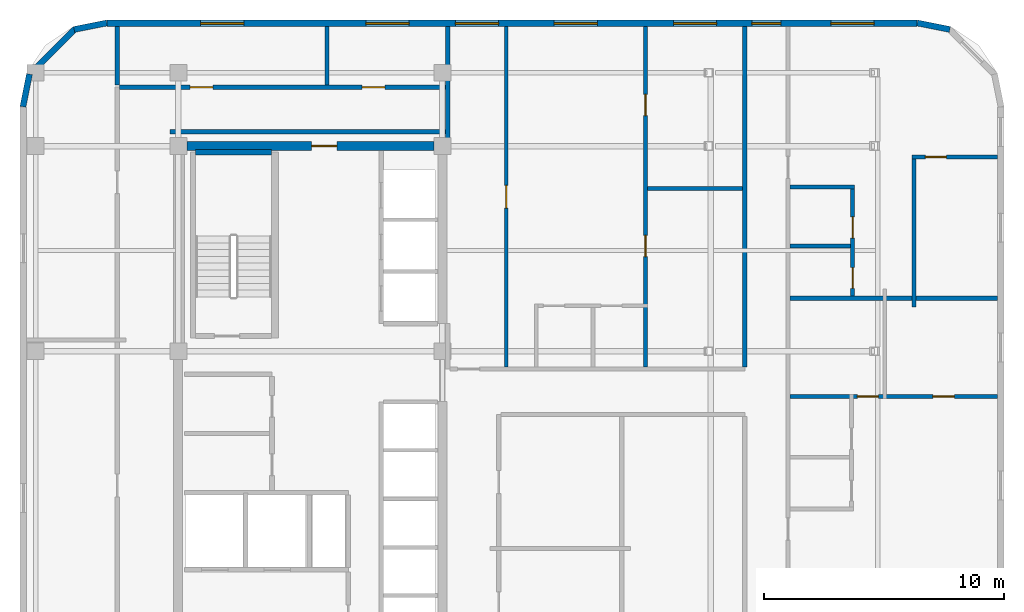
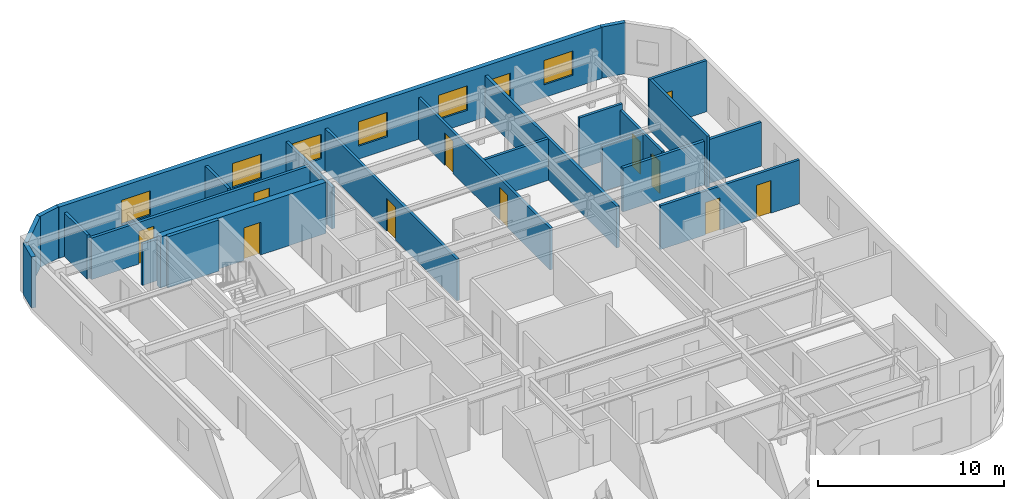
# One storey, part 6 of 8: 23 walls, 11 doors, 7 windows, 18 openings.
"""IFC4 building model written with IfcOpenShell, lengths in metres."""

from ifc_helpers import new_model, si_unit, direction, frame, frame_2d, origin, place, context, subcontext, project, spatial, rectangle, extrude, material, layer, layer_set, type_object, element, fill, save


model = new_model("IFC4")

# Units and contexts
model_context = context("Model", 3, precision=1e-05, world=origin(), true_north=direction((0.0, 1.0)))
body_context = subcontext(model_context, "Body", "Model", "MODEL_VIEW")
ifc_project = project(units=[si_unit("LENGTHUNIT", "METRE"), si_unit("AREAUNIT", "SQUARE_METRE"), si_unit("VOLUMEUNIT", "CUBIC_METRE"), si_unit("PLANEANGLEUNIT", "RADIAN"), si_unit("MASSUNIT", "GRAM", prefix="KILO")], contexts=[model_context])

# Site, building, storey
site_placement = place(None, origin())
site = spatial("IfcSite", under=ifc_project, at=site_placement, CompositionType="ELEMENT")
building_placement = place(site_placement, origin())
building = spatial("IfcBuilding", under=site, at=building_placement, Name="Ochreholt Gables", CompositionType="ELEMENT")
storey_placement = place(building_placement, frame((0.0, 0.0, 181.199951171875)))
storey = spatial("IfcBuildingStorey", under=building, at=storey_placement, Name="L47", CompositionType="ELEMENT", Elevation=181.199951171875)

# Wall, opening, door
ifc_material_1 = material(Name="Concrete 50 MPa", Category="concrete")
ifc_layer_1 = layer(ifc_material_1, 0.3798828125, Name="Concrete 50 MPa")
ifc_layer_set_1 = layer_set([ifc_layer_1], Name="Concrete 50 MPa")
wall_type_1 = type_object("IfcWallType", Name="WALL-CSW-380", PredefinedType="SHEAR", material=ifc_layer_set_1)
wall_1_placement = place(storey_placement, frame((24.550048828125, 38.75, 0.0), z_axis=(0.0, 0.0, 1.0), x_axis=(1.0, 0.0, 0.0)))
wall_1 = element("IfcWall", 1, at=wall_1_placement, inside=storey, type_object=wall_type_1, Name="L47 Core North Shear Wall", PredefinedType="SHEAR", context=body_context, shape_type="SweptSolid", body=[
    extrude(rectangle(XDim=10.300048828125, YDim=0.3798828125, at=frame_2d((5.14990234375, 0.0))), origin(), (0.0, 0.0, 1.0), 3.360107421875),
])
opening_1_placement = place(wall_1_placement, frame((5.199951171875, 0.0, 0.0)))
opening_1 = element("IfcOpeningElement", 2, at=opening_1_placement, cuts=wall_1, Name="Opening D-FLB", PredefinedType="OPENING", context=body_context, shape_type="SweptSolid", body=[
    extrude(rectangle(XDim=1.050048828125, YDim=2.14990234375, at=frame_2d((0.52490234375, 1.074951171875))), frame((0.0, 0.199951171875, 0.0), z_axis=(0.0, -1.0, 0.0), x_axis=(1.0, 0.0, 0.0)), (0.0, 0.0, 1.0), 0.39990234375),
])
ifc_material_2 = material(Name="Hollow Metal Steel", Category="steel")
door_type_1 = type_object("IfcDoorType", Name="DR-INT-FLB1050", OperationType="NOTDEFINED", PredefinedType="DOOR", material=ifc_material_2)
door_1_placement = place(opening_1_placement, frame((1.050048828125, 0.0, 0.0), z_axis=(0.0, 0.0, 1.0), x_axis=(-1.0, 0.0, 0.0)))
door_1 = element("IfcDoor", 3, at=door_1_placement, inside=storey, type_object=door_type_1, Name="L47 Door D-C2CRN-L47", OperationType="SINGLE_SWING_RIGHT", OverallHeight=2.14990234375, OverallWidth=1.050048828125, PredefinedType="DOOR", context=body_context, shape_type="SweptSolid", body=[
    extrude(rectangle(XDim=1.050048828125, YDim=2.14990234375, at=frame_2d((0.52490234375, 1.074951171875))), frame((0.0, 0.02490234375, 0.0), z_axis=(0.0, -1.0, 0.0), x_axis=(1.0, 0.0, 0.0)), (0.0, 0.0, 1.0), 0.050048828125),
])
fill(opening_1, door_1)

# Wall, openings, windows
ifc_material_3 = material(Name="Precast concrete 40 MPa", Category="concrete")
ifc_layer_2 = layer(ifc_material_3, 0.280029296875, Name="Precast concrete 40 MPa")
ifc_layer_set_2 = layer_set([ifc_layer_2], Name="Precast concrete 40 MPa")
wall_type_2 = type_object("IfcWallType", Name="WALL-EXT-280", PredefinedType="SOLIDWALL", material=ifc_layer_set_2)
wall_2_placement = place(storey_placement, frame((54.97998046875, 43.860107421875, 0.0), z_axis=(0.0, 0.0, 1.0), x_axis=(-1.0, 0.0, 0.0)))
wall_2 = element("IfcWall", 4, at=wall_2_placement, inside=storey, type_object=wall_type_2, Name="L47 North Exterior Wall", PredefinedType="SOLIDWALL", context=body_context, shape_type="SweptSolid", body=[
    extrude(rectangle(XDim=33.760009765625, YDim=0.280029296875, at=frame_2d((16.8798828125, 0.0))), origin(), (0.0, 0.0, 1.0), 3.360107421875),
])
opening_2_placement = place(wall_2_placement, frame((28.054931640625, 0.0, 0.85009765625)))
opening_2 = element("IfcOpeningElement", 5, at=opening_2_placement, cuts=wall_2, Name="Opening WN-1", PredefinedType="OPENING", context=body_context, shape_type="SweptSolid", body=[
    extrude(rectangle(XDim=1.800048828125, YDim=1.60009765625, at=frame_2d((0.89990234375, 0.800048828125))), frame((0.0, 0.14990234375, 0.0), z_axis=(0.0, -1.0, 0.0), x_axis=(1.0, 0.0, 0.0)), (0.0, 0.0, 1.0), 0.300048828125),
])
opening_3_placement = place(wall_2_placement, frame((21.169921875, 0.0, 0.85009765625)))
opening_3 = element("IfcOpeningElement", 6, at=opening_3_placement, cuts=wall_2, Name="Opening WN-1", PredefinedType="OPENING", context=body_context, shape_type="SweptSolid", body=[
    extrude(rectangle(XDim=1.800048828125, YDim=1.60009765625, at=frame_2d((0.89990234375, 0.800048828125))), frame((0.0, 0.14990234375, 0.0), z_axis=(0.0, -1.0, 0.0), x_axis=(1.0, 0.0, 0.0)), (0.0, 0.0, 1.0), 0.300048828125),
])
opening_4_placement = place(wall_2_placement, frame((17.43994140625, 0.0, 0.85009765625)))
opening_4 = element("IfcOpeningElement", 7, at=opening_4_placement, cuts=wall_2, Name="Opening WN-1", PredefinedType="OPENING", context=body_context, shape_type="SweptSolid", body=[
    extrude(rectangle(XDim=1.800048828125, YDim=1.60009765625, at=frame_2d((0.89990234375, 0.800048828125))), frame((0.0, 0.14990234375, 0.0), z_axis=(0.0, -1.0, 0.0), x_axis=(1.0, 0.0, 0.0)), (0.0, 0.0, 1.0), 0.300048828125),
])
opening_5_placement = place(wall_2_placement, frame((13.320068359375, 0.0, 0.85009765625)))
opening_5 = element("IfcOpeningElement", 8, at=opening_5_placement, cuts=wall_2, Name="Opening WN-1", PredefinedType="OPENING", context=body_context, shape_type="SweptSolid", body=[
    extrude(rectangle(XDim=1.800048828125, YDim=1.60009765625, at=frame_2d((0.89990234375, 0.800048828125))), frame((0.0, 0.14990234375, 0.0), z_axis=(0.0, -1.0, 0.0), x_axis=(1.0, 0.0, 0.0)), (0.0, 0.0, 1.0), 0.300048828125),
])
opening_6_placement = place(wall_2_placement, frame((8.35009765625, 0.0, 0.85009765625)))
opening_6 = element("IfcOpeningElement", 9, at=opening_6_placement, cuts=wall_2, Name="Opening WN-1", PredefinedType="OPENING", context=body_context, shape_type="SweptSolid", body=[
    extrude(rectangle(XDim=1.800048828125, YDim=1.60009765625, at=frame_2d((0.89990234375, 0.800048828125))), frame((0.0, 0.14990234375, 0.0), z_axis=(0.0, -1.0, 0.0), x_axis=(1.0, 0.0, 0.0)), (0.0, 0.0, 1.0), 0.300048828125),
])
opening_7_placement = place(wall_2_placement, frame((5.679931640625, 0.0, 0.85009765625)))
opening_7 = element("IfcOpeningElement", 10, at=opening_7_placement, cuts=wall_2, Name="Opening WN-3", PredefinedType="OPENING", context=body_context, shape_type="SweptSolid", body=[
    extrude(rectangle(XDim=1.199951171875, YDim=1.5, at=frame_2d((0.60009765625, 0.75))), frame((0.0, 0.14990234375, 0.0), z_axis=(0.0, -1.0, 0.0), x_axis=(1.0, 0.0, 0.0)), (0.0, 0.0, 1.0), 0.300048828125),
])
opening_8_placement = place(wall_2_placement, frame((1.7900390625, 0.0, 0.85009765625)))
opening_8 = element("IfcOpeningElement", 11, at=opening_8_placement, cuts=wall_2, Name="Opening WN-1", PredefinedType="OPENING", context=body_context, shape_type="SweptSolid", body=[
    extrude(rectangle(XDim=1.800048828125, YDim=1.60009765625, at=frame_2d((0.89990234375, 0.800048828125))), frame((0.0, 0.14990234375, 0.0), z_axis=(0.0, -1.0, 0.0), x_axis=(1.0, 0.0, 0.0)), (0.0, 0.0, 1.0), 0.300048828125),
])
ifc_material_4 = material(Name="Triple-Glazed Thermally Broken Aluminium Window", Category="aluminium")
window_type_1 = type_object("IfcWindowType", Name="WIN-RES-1200", PartitioningType="SINGLE_PANEL", PredefinedType="WINDOW", material=ifc_material_4)
window_1_placement = place(opening_7_placement, origin())
window_1 = element("IfcWindow", 12, at=window_1_placement, inside=storey, type_object=window_type_1, Name="L47 Window W-EXT-N-L47-6", OverallHeight=1.5, OverallWidth=1.199951171875, PartitioningType="SINGLE_PANEL", PredefinedType="WINDOW", context=body_context, shape_type="SweptSolid", body=[
    extrude(rectangle(XDim=1.199951171875, YDim=1.5, at=frame_2d((0.60009765625, 0.75))), frame((0.0, 0.030029296875, 0.0), z_axis=(0.0, -1.0, 0.0), x_axis=(1.0, 0.0, 0.0)), (0.0, 0.0, 1.0), 0.06005859375),
])
fill(opening_7, window_1)
window_type_2 = type_object("IfcWindowType", Name="WIN-RES-1800", PartitioningType="SINGLE_PANEL", PredefinedType="WINDOW", material=ifc_material_4)
window_2_placement = place(opening_2_placement, origin())
window_2 = element("IfcWindow", 13, at=window_2_placement, inside=storey, type_object=window_type_2, Name="L47 Window W-EXT-N-L47-1", OverallHeight=1.60009765625, OverallWidth=1.800048828125, PartitioningType="SINGLE_PANEL", PredefinedType="WINDOW", context=body_context, shape_type="SweptSolid", body=[
    extrude(rectangle(XDim=1.800048828125, YDim=1.60009765625, at=frame_2d((0.89990234375, 0.800048828125))), frame((0.0, 0.030029296875, 0.0), z_axis=(0.0, -1.0, 0.0), x_axis=(1.0, 0.0, 0.0)), (0.0, 0.0, 1.0), 0.06005859375),
])
fill(opening_2, window_2)
window_3_placement = place(opening_3_placement, origin())
window_3 = element("IfcWindow", 14, at=window_3_placement, inside=storey, type_object=window_type_2, Name="L47 Window W-EXT-N-L47-2", OverallHeight=1.60009765625, OverallWidth=1.800048828125, PartitioningType="SINGLE_PANEL", PredefinedType="WINDOW", context=body_context, shape_type="SweptSolid", body=[
    extrude(rectangle(XDim=1.800048828125, YDim=1.60009765625, at=frame_2d((0.89990234375, 0.800048828125))), frame((0.0, 0.030029296875, 0.0), z_axis=(0.0, -1.0, 0.0), x_axis=(1.0, 0.0, 0.0)), (0.0, 0.0, 1.0), 0.06005859375),
])
fill(opening_3, window_3)
window_4_placement = place(opening_4_placement, origin())
window_4 = element("IfcWindow", 15, at=window_4_placement, inside=storey, type_object=window_type_2, Name="L47 Window W-EXT-N-L47-3", OverallHeight=1.60009765625, OverallWidth=1.800048828125, PartitioningType="SINGLE_PANEL", PredefinedType="WINDOW", context=body_context, shape_type="SweptSolid", body=[
    extrude(rectangle(XDim=1.800048828125, YDim=1.60009765625, at=frame_2d((0.89990234375, 0.800048828125))), frame((0.0, 0.030029296875, 0.0), z_axis=(0.0, -1.0, 0.0), x_axis=(1.0, 0.0, 0.0)), (0.0, 0.0, 1.0), 0.06005859375),
])
fill(opening_4, window_4)
window_5_placement = place(opening_5_placement, origin())
window_5 = element("IfcWindow", 16, at=window_5_placement, inside=storey, type_object=window_type_2, Name="L47 Window W-EXT-N-L47-4", OverallHeight=1.60009765625, OverallWidth=1.800048828125, PartitioningType="SINGLE_PANEL", PredefinedType="WINDOW", context=body_context, shape_type="SweptSolid", body=[
    extrude(rectangle(XDim=1.800048828125, YDim=1.60009765625, at=frame_2d((0.89990234375, 0.800048828125))), frame((0.0, 0.030029296875, 0.0), z_axis=(0.0, -1.0, 0.0), x_axis=(1.0, 0.0, 0.0)), (0.0, 0.0, 1.0), 0.06005859375),
])
fill(opening_5, window_5)
window_6_placement = place(opening_6_placement, origin())
window_6 = element("IfcWindow", 17, at=window_6_placement, inside=storey, type_object=window_type_2, Name="L47 Window W-EXT-N-L47-5", OverallHeight=1.60009765625, OverallWidth=1.800048828125, PartitioningType="SINGLE_PANEL", PredefinedType="WINDOW", context=body_context, shape_type="SweptSolid", body=[
    extrude(rectangle(XDim=1.800048828125, YDim=1.60009765625, at=frame_2d((0.89990234375, 0.800048828125))), frame((0.0, 0.030029296875, 0.0), z_axis=(0.0, -1.0, 0.0), x_axis=(1.0, 0.0, 0.0)), (0.0, 0.0, 1.0), 0.06005859375),
])
fill(opening_6, window_6)
window_7_placement = place(opening_8_placement, origin())
window_7 = element("IfcWindow", 18, at=window_7_placement, inside=storey, type_object=window_type_2, Name="L47 Window W-EXT-N-L47-7", OverallHeight=1.60009765625, OverallWidth=1.800048828125, PartitioningType="SINGLE_PANEL", PredefinedType="WINDOW", context=body_context, shape_type="SweptSolid", body=[
    extrude(rectangle(XDim=1.800048828125, YDim=1.60009765625, at=frame_2d((0.89990234375, 0.800048828125))), frame((0.0, 0.030029296875, 0.0), z_axis=(0.0, -1.0, 0.0), x_axis=(1.0, 0.0, 0.0)), (0.0, 0.0, 1.0), 0.06005859375),
])
fill(opening_8, window_7)

# Walls
ifc_layer_3 = layer(ifc_material_3, 0.25, Name="Precast concrete 40 MPa")
ifc_layer_set_3 = layer_set([ifc_layer_3], Name="Precast concrete 40 MPa")
wall_type_3 = type_object("IfcWallType", Name="WALL-EXT-CNR", PredefinedType="SOLIDWALL", material=ifc_layer_set_3)
for number, where, z_axis, x_axis, name in (
    (19, (56.345458984375, 43.60498046875, 0.0), (0.0, 0.0, 1.0), (-0.980809899341, 0.19496651342, 0.0), "L47 Rounded Corner Wall NE-3"),
    (20, (21.216552734375, 43.875732421875, 0.0), (0.0, 0.0, 1.0), (-0.980809899341, -0.19496651342, 0.0), "L47 Rounded Corner Wall NW-1"),
):
    element("IfcWall", number, at=place(storey_placement, frame(where, z_axis=z_axis, x_axis=x_axis)), inside=storey, type_object=wall_type_3, Name=name, PredefinedType="SOLIDWALL", context=body_context, shape_type="SweptSolid", body=[
        extrude(rectangle(XDim=1.388671875, YDim=0.25, at=frame_2d((0.6943359375, 0.0))), origin(), (0.0, 0.0, 1.0), 3.360107421875),
    ])
wall_3_placement = place(storey_placement, frame((19.905029296875, 43.632080078125, 0.0), z_axis=(0.0, 0.0, 1.0), x_axis=(-0.707106781187, -0.707106781187, 0.0)))
element("IfcWall", 21, at=wall_3_placement, inside=storey, type_object=wall_type_3, Name="L47 Rounded Corner Wall NW-2", PredefinedType="SOLIDWALL", context=body_context, shape_type="SweptSolid", body=[
    extrude(rectangle(XDim=2.7392578125, YDim=0.25, at=frame_2d((1.36962890625, 0.0))), origin(), (0.0, 0.0, 1.0), 3.360107421875),
])
wall_4_placement = place(storey_placement, frame((17.9951171875, 41.74560546875, 0.0), z_axis=(0.0, 0.0, 1.0), x_axis=(-0.195135625965, -0.9807762678, 0.0)))
element("IfcWall", 22, at=wall_4_placement, inside=storey, type_object=wall_type_3, Name="L47 Rounded Corner Wall NW-3", PredefinedType="SOLIDWALL", context=body_context, shape_type="SweptSolid", body=[
    extrude(rectangle(XDim=1.388671875, YDim=0.25, at=frame_2d((0.6943359375, 0.0))), origin(), (0.0, 0.0, 1.0), 3.360107421875),
])

# Wall, openings, doors
ifc_material_5 = material(Name="Fire-Rated Gypsum Acoustic Partition", Category="gypsum")
ifc_layer_4 = layer(ifc_material_5, 0.179931640625, Name="Fire-Rated Gypsum Acoustic Partition")
ifc_layer_set_4 = layer_set([ifc_layer_4], Name="Fire-Rated Gypsum Acoustic Partition")
wall_type_4 = type_object("IfcWallType", Name="WALL-INT-CR180", PredefinedType="STANDARD", material=ifc_layer_set_4)
wall_5_placement = place(storey_placement, frame((21.739990234375, 41.199951171875, 0.0), z_axis=(0.0, 0.0, 1.0), x_axis=(1.0, 0.0, 0.0)))
wall_5 = element("IfcWall", 23, at=wall_5_placement, inside=storey, type_object=wall_type_4, Name="L47 Interior Wall WI-C2WCN-L47", PredefinedType="STANDARD", context=body_context, shape_type="SweptSolid", body=[
    extrude(rectangle(XDim=13.679931640625, YDim=0.179931640625, at=frame_2d((6.83984375, 0.0))), origin(), (0.0, 0.0, 1.0), 2.72998046875),
])
opening_9_placement = place(wall_5_placement, frame((2.949951171875, 0.0, 0.0)))
opening_9 = element("IfcOpeningElement", 24, at=opening_9_placement, cuts=wall_5, Name="Opening D-GN1", PredefinedType="OPENING", context=body_context, shape_type="SweptSolid", body=[
    extrude(rectangle(XDim=0.949951171875, YDim=2.14990234375, at=frame_2d((0.47509765625, 1.074951171875))), frame((0.0, 0.099853515625, 0.0), z_axis=(0.0, -1.0, 0.0), x_axis=(1.0, 0.0, 0.0)), (0.0, 0.0, 1.0), 0.199951171875),
])
opening_10_placement = place(wall_5_placement, frame((10.110107421875, 0.0, 0.0)))
opening_10 = element("IfcOpeningElement", 25, at=opening_10_placement, cuts=wall_5, Name="Opening D-GN1", PredefinedType="OPENING", context=body_context, shape_type="SweptSolid", body=[
    extrude(rectangle(XDim=0.949951171875, YDim=2.14990234375, at=frame_2d((0.47509765625, 1.074951171875))), frame((0.0, 0.099853515625, 0.0), z_axis=(0.0, -1.0, 0.0), x_axis=(1.0, 0.0, 0.0)), (0.0, 0.0, 1.0), 0.199951171875),
])
ifc_material_6 = material(Name="Engineered Oak Timber", Category="wood")
door_type_2 = type_object("IfcDoorType", Name="DR-INT-GEN950", OperationType="NOTDEFINED", PredefinedType="DOOR", material=ifc_material_6)
door_2_placement = place(opening_9_placement, origin())
door_2 = element("IfcDoor", 26, at=door_2_placement, inside=storey, type_object=door_type_2, Name="L47 Door D-C2NRS1-L47", OperationType="SINGLE_SWING_RIGHT", OverallHeight=2.14990234375, OverallWidth=0.949951171875, PredefinedType="DOOR", context=body_context, shape_type="SweptSolid", body=[
    extrude(rectangle(XDim=0.949951171875, YDim=2.14990234375, at=frame_2d((0.47509765625, 1.074951171875))), frame((0.0, 0.02490234375, 0.0), z_axis=(0.0, -1.0, 0.0), x_axis=(1.0, 0.0, 0.0)), (0.0, 0.0, 1.0), 0.050048828125),
])
fill(opening_9, door_2)
door_3_placement = place(opening_10_placement, origin())
door_3 = element("IfcDoor", 27, at=door_3_placement, inside=storey, type_object=door_type_2, Name="L47 Door D-C2NRS2-L47", OperationType="SINGLE_SWING_LEFT", OverallHeight=2.14990234375, OverallWidth=0.949951171875, PredefinedType="DOOR", context=body_context, shape_type="SweptSolid", body=[
    extrude(rectangle(XDim=0.949951171875, YDim=2.14990234375, at=frame_2d((0.47509765625, 1.074951171875))), frame((0.0, 0.02490234375, 0.0), z_axis=(0.0, -1.0, 0.0), x_axis=(1.0, 0.0, 0.0)), (0.0, 0.0, 1.0), 0.050048828125),
])
fill(opening_10, door_3)

# Walls
wall_6_placement = place(storey_placement, frame((23.85009765625, 39.35009765625, 0.0), z_axis=(0.0, 0.0, 1.0), x_axis=(1.0, 0.0, 0.0)))
element("IfcWall", 28, at=wall_6_placement, inside=storey, type_object=wall_type_4, Name="L47 Interior Wall WI-C2WCN2-L47", PredefinedType="STANDARD", context=body_context, shape_type="SweptSolid", body=[
    extrude(rectangle(XDim=11.56982421875, YDim=0.179931640625, at=frame_2d((5.784912109375, 0.0))), origin(), (0.0, 0.0, 1.0), 2.72998046875),
])
wall_7_placement = place(storey_placement, frame((47.800048828125, 29.550048828125, 0.0), z_axis=(0.0, 0.0, 1.0), x_axis=(0.0, 1.0, 0.0)))
element("IfcWall", 29, at=wall_7_placement, inside=storey, type_object=wall_type_4, Name="L47 Interior Wall WI-C2FEGW3-L47", PredefinedType="STANDARD", context=body_context, shape_type="SweptSolid", body=[
    extrude(rectangle(XDim=14.169921875, YDim=0.179931640625, at=frame_2d((7.0849609375, 0.0))), origin(), (0.0, 0.0, 1.0), 2.72998046875),
])
ifc_material_7 = material(Name="Double-Stud Acoustic Demising Wall", Category="gypsum")
ifc_layer_5 = layer(ifc_material_7, 0.179931640625, Name="Double-Stud Acoustic Demising Wall")
ifc_layer_set_5 = layer_set([ifc_layer_5], Name="Double-Stud Acoustic Demising Wall")
wall_type_5 = type_object("IfcWallType", Name="WALL-INT-DM180", PredefinedType="PARTITIONING", material=ifc_layer_set_5)
wall_8_placement = place(storey_placement, frame((21.64990234375, 41.2900390625, 0.0), z_axis=(0.0, 0.0, 1.0), x_axis=(0.0, 1.0, 0.0)))
element("IfcWall", 30, at=wall_8_placement, inside=storey, type_object=wall_type_5, Name="L47 Interior Wall WI-C2WWN-L47", PredefinedType="PARTITIONING", context=body_context, shape_type="SweptSolid", body=[
    extrude(rectangle(XDim=2.429931640625, YDim=0.179931640625, at=frame_2d((1.21484375, 0.0))), origin(), (0.0, 0.0, 1.0), 2.879150390625),
])
wall_9_placement = place(storey_placement, frame((35.419921875, 38.75, 0.0), z_axis=(0.0, 0.0, 1.0), x_axis=(0.0, 1.0, 0.0)))
element("IfcWall", 31, at=wall_9_placement, inside=storey, type_object=wall_type_5, Name="L47 Interior Wall WI-C2NEN-L47", PredefinedType="PARTITIONING", context=body_context, shape_type="SweptSolid", body=[
    extrude(rectangle(XDim=4.969970703125, YDim=0.179931640625, at=frame_2d((2.48486328125, 0.0))), origin(), (0.0, 0.0, 1.0), 2.72998046875),
])
wall_10_placement = place(storey_placement, frame((49.68994140625, 32.39990234375, 0.0), z_axis=(0.0, 0.0, 1.0), x_axis=(1.0, 0.0, 0.0)))
element("IfcWall", 32, at=wall_10_placement, inside=storey, type_object=wall_type_5, Name="L47 Interior Wall WI-C2FED3-L47", PredefinedType="PARTITIONING", context=body_context, shape_type="SweptSolid", body=[
    extrude(rectangle(XDim=8.630126953125, YDim=0.179931640625, at=frame_2d((4.31494140625, 0.0))), origin(), (0.0, 0.0, 1.0), 2.879150390625),
])
ifc_material_8 = material(Name="Moisture-Resistant Plumbing Chase Wall", Category="gypsum")
ifc_layer_6 = layer(ifc_material_8, 0.159912109375, Name="Moisture-Resistant Plumbing Chase Wall")
ifc_layer_set_6 = layer_set([ifc_layer_6], Name="Moisture-Resistant Plumbing Chase Wall")
wall_type_6 = type_object("IfcWallType", Name="WALL-INT-PL160", PredefinedType="PLUMBINGWALL", material=ifc_layer_set_6)
wall_11_placement = place(storey_placement, frame((49.68994140625, 37.0400390625, 0.0), z_axis=(0.0, 0.0, 1.0), x_axis=(1.0, 0.0, 0.0)))
element("IfcWall", 33, at=wall_11_placement, inside=storey, type_object=wall_type_6, Name="L47 Interior Wall WU-L47FE3-WYN", PredefinedType="PLUMBINGWALL", context=body_context, shape_type="SweptSolid", body=[
    extrude(rectangle(XDim=2.68212890625, YDim=0.159912109375, at=frame_2d((1.341064453125, 0.0))), origin(), (0.0, 0.0, 1.0), 3.360107421875),
])

# Wall, openings, doors
wall_12_placement = place(storey_placement, frame((52.2919921875, 32.489990234375, 0.0), z_axis=(0.0, 0.0, 1.0), x_axis=(0.0, 1.0, 0.0)))
wall_12 = element("IfcWall", 34, at=wall_12_placement, inside=storey, type_object=wall_type_6, Name="L47 Interior Wall WU-L47FE3-WX", PredefinedType="PLUMBINGWALL", context=body_context, shape_type="SweptSolid", body=[
    extrude(rectangle(XDim=4.639892578125, YDim=0.159912109375, at=frame_2d((2.31982421875, 0.0))), origin(), (0.0, 0.0, 1.0), 2.984130859375),
])
opening_11_placement = place(wall_12_placement, frame((0.330078125, 0.0, 0.0)))
opening_11 = element("IfcOpeningElement", 35, at=opening_11_placement, cuts=wall_12, Name="Opening D-BT1", PredefinedType="OPENING", context=body_context, shape_type="SweptSolid", body=[
    extrude(rectangle(XDim=0.860107421875, YDim=2.1201171875, at=frame_2d((0.43017578125, 1.06005859375))), frame((0.0, 0.08984375, 0.0), z_axis=(0.0, -1.0, 0.0), x_axis=(1.0, 0.0, 0.0)), (0.0, 0.0, 1.0), 0.179931640625),
])
opening_12_placement = place(wall_12_placement, frame((2.423095703125, 0.0, 0.0)))
opening_12 = element("IfcOpeningElement", 36, at=opening_12_placement, cuts=wall_12, Name="Opening D-GN2", PredefinedType="OPENING", context=body_context, shape_type="SweptSolid", body=[
    extrude(rectangle(XDim=0.8798828125, YDim=2.1201171875, at=frame_2d((0.43994140625, 1.06005859375))), frame((0.0, 0.08984375, 0.0), z_axis=(0.0, -1.0, 0.0), x_axis=(1.0, 0.0, 0.0)), (0.0, 0.0, 1.0), 0.179931640625),
])
door_type_3 = type_object("IfcDoorType", Name="DR-INT-BTH860", OperationType="NOTDEFINED", PredefinedType="DOOR", material=ifc_material_6)
door_4_placement = place(opening_11_placement, origin())
door_4 = element("IfcDoor", 37, at=door_4_placement, inside=storey, type_object=door_type_3, Name="L47 Door D-U-L47FE3-BTH", OperationType="SINGLE_SWING_LEFT", OverallHeight=2.1201171875, OverallWidth=0.860107421875, PredefinedType="DOOR", context=body_context, shape_type="SweptSolid", body=[
    extrude(rectangle(XDim=0.860107421875, YDim=2.1201171875, at=frame_2d((0.43017578125, 1.06005859375))), frame((0.0, 0.02490234375, 0.0), z_axis=(0.0, -1.0, 0.0), x_axis=(1.0, 0.0, 0.0)), (0.0, 0.0, 1.0), 0.050048828125),
])
fill(opening_11, door_4)
door_type_4 = type_object("IfcDoorType", Name="DR-INT-GEN880", OperationType="NOTDEFINED", PredefinedType="DOOR", material=ifc_material_6)
door_5_placement = place(opening_12_placement, origin())
door_5 = element("IfcDoor", 38, at=door_5_placement, inside=storey, type_object=door_type_4, Name="L47 Door D-U-L47FE3-KIT", OperationType="SINGLE_SWING_RIGHT", OverallHeight=2.1201171875, OverallWidth=0.8798828125, PredefinedType="DOOR", context=body_context, shape_type="SweptSolid", body=[
    extrude(rectangle(XDim=0.8798828125, YDim=2.1201171875, at=frame_2d((0.43994140625, 1.06005859375))), frame((0.0, 0.02490234375, 0.0), z_axis=(0.0, -1.0, 0.0), x_axis=(1.0, 0.0, 0.0)), (0.0, 0.0, 1.0), 0.050048828125),
])
fill(opening_12, door_5)

# Wall
wall_13_placement = place(storey_placement, frame((49.68994140625, 34.5830078125, 0.0), z_axis=(0.0, 0.0, 1.0), x_axis=(1.0, 0.0, 0.0)))
element("IfcWall", 39, at=wall_13_placement, inside=storey, type_object=wall_type_6, Name="L47 Interior Wall WU-L47FE3-WM", PredefinedType="PLUMBINGWALL", context=body_context, shape_type="SweptSolid", body=[
    extrude(rectangle(XDim=2.52197265625, YDim=0.159912109375, at=frame_2d((1.260986328125, 0.0))), origin(), (0.0, 0.0, 1.0), 2.984130859375),
])

# Wall, openings, doors
ifc_material_9 = material(Name="Gypsum Acoustic Stud Partition", Category="gypsum")
ifc_layer_7 = layer(ifc_material_9, 0.1650390625, Name="Gypsum Acoustic Stud Partition")
ifc_layer_set_7 = layer_set([ifc_layer_7], Name="Gypsum Acoustic Stud Partition")
wall_type_7 = type_object("IfcWallType", Name="WALL-INT-PT165", PredefinedType="PARTITIONING", material=ifc_layer_set_7)
wall_14_placement = place(storey_placement, frame((43.659912109375, 29.550048828125, 0.0), z_axis=(0.0, 0.0, 1.0), x_axis=(0.0, 1.0, 0.0)))
wall_14 = element("IfcWall", 40, at=wall_14_placement, inside=storey, type_object=wall_type_7, Name="L47 Interior Wall WU-L47N1-MNX", PredefinedType="PARTITIONING", context=body_context, shape_type="SweptSolid", body=[
    extrude(rectangle(XDim=14.169921875, YDim=0.1650390625, at=frame_2d((7.0849609375, 0.0))), origin(), (0.0, 0.0, 1.0), 2.72998046875),
])
opening_13_placement = place(wall_14_placement, frame((4.592529296875, 0.0, 0.0)))
opening_13 = element("IfcOpeningElement", 41, at=opening_13_placement, cuts=wall_14, Name="Opening D-BD2", PredefinedType="OPENING", context=body_context, shape_type="SweptSolid", body=[
    extrude(rectangle(XDim=0.8798828125, YDim=2.139892578125, at=frame_2d((0.43994140625, 1.06982421875))), frame((0.0, 0.092529296875, 0.0), z_axis=(0.0, -1.0, 0.0), x_axis=(1.0, 0.0, 0.0)), (0.0, 0.0, 1.0), 0.18505859375),
])
opening_14_placement = place(wall_14_placement, frame((10.469970703125, 0.0, 0.0)))
opening_14 = element("IfcOpeningElement", 42, at=opening_14_placement, cuts=wall_14, Name="Opening D-BD2", PredefinedType="OPENING", context=body_context, shape_type="SweptSolid", body=[
    extrude(rectangle(XDim=0.8798828125, YDim=2.139892578125, at=frame_2d((0.43994140625, 1.06982421875))), frame((0.0, 0.092529296875, 0.0), z_axis=(0.0, -1.0, 0.0), x_axis=(1.0, 0.0, 0.0)), (0.0, 0.0, 1.0), 0.18505859375),
])
door_type_5 = type_object("IfcDoorType", Name="DR-INT-BED880", OperationType="NOTDEFINED", PredefinedType="DOOR", material=ifc_material_6)
door_6_placement = place(opening_13_placement, origin())
door_6 = element("IfcDoor", 43, at=door_6_placement, inside=storey, type_object=door_type_5, Name="L47 Door D-U-L47N1-BD1", OperationType="SINGLE_SWING_LEFT", OverallHeight=2.139892578125, OverallWidth=0.8798828125, PredefinedType="DOOR", context=body_context, shape_type="SweptSolid", body=[
    extrude(rectangle(XDim=0.8798828125, YDim=2.139892578125, at=frame_2d((0.43994140625, 1.06982421875))), frame((0.0, 0.02490234375, 0.0), z_axis=(0.0, -1.0, 0.0), x_axis=(1.0, 0.0, 0.0)), (0.0, 0.0, 1.0), 0.050048828125),
])
fill(opening_13, door_6)
door_7_placement = place(opening_14_placement, origin())
door_7 = element("IfcDoor", 44, at=door_7_placement, inside=storey, type_object=door_type_5, Name="L47 Door D-U-L47N1-BD2", OperationType="SINGLE_SWING_RIGHT", OverallHeight=2.139892578125, OverallWidth=0.8798828125, PredefinedType="DOOR", context=body_context, shape_type="SweptSolid", body=[
    extrude(rectangle(XDim=0.8798828125, YDim=2.139892578125, at=frame_2d((0.43994140625, 1.06982421875))), frame((0.0, 0.02490234375, 0.0), z_axis=(0.0, -1.0, 0.0), x_axis=(1.0, 0.0, 0.0)), (0.0, 0.0, 1.0), 0.050048828125),
])
fill(opening_14, door_7)

# Wall, opening, door
wall_15_placement = place(storey_placement, frame((37.860107421875, 29.550048828125, 0.0), z_axis=(0.0, 0.0, 1.0), x_axis=(0.0, 1.0, 0.0)))
wall_15 = element("IfcWall", 45, at=wall_15_placement, inside=storey, type_object=wall_type_7, Name="L47 Interior Wall WU-L47N1-DNX", PredefinedType="PARTITIONING", context=body_context, shape_type="SweptSolid", body=[
    extrude(rectangle(XDim=14.169921875, YDim=0.1650390625, at=frame_2d((7.0849609375, 0.0))), origin(), (0.0, 0.0, 1.0), 2.72998046875),
])
opening_15_placement = place(wall_15_placement, frame((6.610107421875, 0.0, 0.0)))
opening_15 = element("IfcOpeningElement", 46, at=opening_15_placement, cuts=wall_15, Name="Opening D-GN1", PredefinedType="OPENING", context=body_context, shape_type="SweptSolid", body=[
    extrude(rectangle(XDim=0.949951171875, YDim=2.14990234375, at=frame_2d((0.47509765625, 1.074951171875))), frame((0.0, 0.092529296875, 0.0), z_axis=(0.0, -1.0, 0.0), x_axis=(1.0, 0.0, 0.0)), (0.0, 0.0, 1.0), 0.18505859375),
])
door_8_placement = place(opening_15_placement, origin())
door_8 = element("IfcDoor", 47, at=door_8_placement, inside=storey, type_object=door_type_2, Name="L47 Door D-U-L47N1-DIN", OperationType="SINGLE_SWING_RIGHT", OverallHeight=2.14990234375, OverallWidth=0.949951171875, PredefinedType="DOOR", context=body_context, shape_type="SweptSolid", body=[
    extrude(rectangle(XDim=0.949951171875, YDim=2.14990234375, at=frame_2d((0.47509765625, 1.074951171875))), frame((0.0, 0.02490234375, 0.0), z_axis=(0.0, -1.0, 0.0), x_axis=(1.0, 0.0, 0.0)), (0.0, 0.0, 1.0), 0.050048828125),
])
fill(opening_15, door_8)

# Wall
wall_16_placement = place(storey_placement, frame((43.739990234375, 36.97998046875, 0.0), z_axis=(0.0, 0.0, 1.0), x_axis=(1.0, 0.0, 0.0)))
element("IfcWall", 48, at=wall_16_placement, inside=storey, type_object=wall_type_7, Name="L47 Interior Wall WU-L47N1-RDV", PredefinedType="PARTITIONING", context=body_context, shape_type="SweptSolid", body=[
    extrude(rectangle(XDim=3.969970703125, YDim=0.1650390625, at=frame_2d((1.98486328125, 0.0))), origin(), (0.0, 0.0, 1.0), 2.72998046875),
])

# Wall, openings, doors
wall_17_placement = place(storey_placement, frame((49.68994140625, 28.31005859375, 0.0), z_axis=(0.0, 0.0, 1.0), x_axis=(1.0, 0.0, 0.0)))
wall_17 = element("IfcWall", 49, at=wall_17_placement, inside=storey, type_object=wall_type_7, Name="L47 Interior Wall WU-L47FE2-MN", PredefinedType="PARTITIONING", context=body_context, shape_type="SweptSolid", body=[
    extrude(rectangle(XDim=8.630126953125, YDim=0.1650390625, at=frame_2d((4.31494140625, 0.0))), origin(), (0.0, 0.0, 1.0), 2.879150390625),
])
opening_16_placement = place(wall_17_placement, frame((2.7958984375, 0.0, 0.0)))
opening_16 = element("IfcOpeningElement", 50, at=opening_16_placement, cuts=wall_17, Name="Opening D-GN2", PredefinedType="OPENING", context=body_context, shape_type="SweptSolid", body=[
    extrude(rectangle(XDim=0.8798828125, YDim=2.1201171875, at=frame_2d((0.43994140625, 1.06005859375))), frame((0.0, 0.092529296875, 0.0), z_axis=(0.0, -1.0, 0.0), x_axis=(1.0, 0.0, 0.0)), (0.0, 0.0, 1.0), 0.18505859375),
])
opening_17_placement = place(wall_17_placement, frame((5.946044921875, 0.0, 0.0)))
opening_17 = element("IfcOpeningElement", 51, at=opening_17_placement, cuts=wall_17, Name="Opening D-BD1", PredefinedType="OPENING", context=body_context, shape_type="SweptSolid", body=[
    extrude(rectangle(XDim=0.89990234375, YDim=2.139892578125, at=frame_2d((0.449951171875, 1.06982421875))), frame((0.0, 0.092529296875, 0.0), z_axis=(0.0, -1.0, 0.0), x_axis=(1.0, 0.0, 0.0)), (0.0, 0.0, 1.0), 0.18505859375),
])
door_type_6 = type_object("IfcDoorType", Name="DR-INT-BED900", OperationType="NOTDEFINED", PredefinedType="DOOR", material=ifc_material_6)
door_9_placement = place(opening_17_placement, origin())
door_9 = element("IfcDoor", 52, at=door_9_placement, inside=storey, type_object=door_type_6, Name="L47 Door D-U-L47FE2-BD1", OperationType="SINGLE_SWING_RIGHT", OverallHeight=2.139892578125, OverallWidth=0.89990234375, PredefinedType="DOOR", context=body_context, shape_type="SweptSolid", body=[
    extrude(rectangle(XDim=0.89990234375, YDim=2.139892578125, at=frame_2d((0.449951171875, 1.06982421875))), frame((0.0, 0.02490234375, 0.0), z_axis=(0.0, -1.0, 0.0), x_axis=(1.0, 0.0, 0.0)), (0.0, 0.0, 1.0), 0.050048828125),
])
fill(opening_17, door_9)
door_10_placement = place(opening_16_placement, origin())
door_10 = element("IfcDoor", 53, at=door_10_placement, inside=storey, type_object=door_type_4, Name="L47 Door D-U-L47FE2-STD", OperationType="SINGLE_SWING_LEFT", OverallHeight=2.1201171875, OverallWidth=0.8798828125, PredefinedType="DOOR", context=body_context, shape_type="SweptSolid", body=[
    extrude(rectangle(XDim=0.8798828125, YDim=2.1201171875, at=frame_2d((0.43994140625, 1.06005859375))), frame((0.0, 0.02490234375, 0.0), z_axis=(0.0, -1.0, 0.0), x_axis=(1.0, 0.0, 0.0)), (0.0, 0.0, 1.0), 0.050048828125),
])
fill(opening_16, door_10)

# Wall
wall_18_placement = place(storey_placement, frame((54.85009765625, 32.0400390625, 0.0), z_axis=(0.0, 0.0, 1.0), x_axis=(0.0, 1.0, 0.0)))
element("IfcWall", 54, at=wall_18_placement, inside=storey, type_object=wall_type_7, Name="L47 Interior Wall WU-L47FE3-STW", PredefinedType="PARTITIONING", context=body_context, shape_type="SweptSolid", body=[
    extrude(rectangle(XDim=6.25, YDim=0.1650390625, at=frame_2d((3.125, 0.0))), origin(), (0.0, 0.0, 1.0), 3.360107421875),
])

# Wall, opening, door
wall_19_placement = place(storey_placement, frame((54.77001953125, 38.2900390625, 0.0), z_axis=(0.0, 0.0, 1.0), x_axis=(1.0, 0.0, 0.0)))
wall_19 = element("IfcWall", 55, at=wall_19_placement, inside=storey, type_object=wall_type_7, Name="L47 Interior Wall WU-L47FE3-STN", PredefinedType="PARTITIONING", context=body_context, shape_type="SweptSolid", body=[
    extrude(rectangle(XDim=3.550048828125, YDim=0.1650390625, at=frame_2d((1.77490234375, 0.0))), origin(), (0.0, 0.0, 1.0), 3.360107421875),
])
opening_18_placement = place(wall_19_placement, frame((0.550048828125, 0.0, 0.0)))
opening_18 = element("IfcOpeningElement", 56, at=opening_18_placement, cuts=wall_19, Name="Opening D-GN2", PredefinedType="OPENING", context=body_context, shape_type="SweptSolid", body=[
    extrude(rectangle(XDim=0.8798828125, YDim=2.1201171875, at=frame_2d((0.43994140625, 1.06005859375))), frame((0.0, 0.092529296875, 0.0), z_axis=(0.0, -1.0, 0.0), x_axis=(1.0, 0.0, 0.0)), (0.0, 0.0, 1.0), 0.18505859375),
])
door_11_placement = place(opening_18_placement, origin())
door_11 = element("IfcDoor", 57, at=door_11_placement, inside=storey, type_object=door_type_4, Name="L47 Door D-U-L47FE3-STD", OperationType="SINGLE_SWING_LEFT", OverallHeight=2.1201171875, OverallWidth=0.8798828125, PredefinedType="DOOR", context=body_context, shape_type="SweptSolid", body=[
    extrude(rectangle(XDim=0.8798828125, YDim=2.1201171875, at=frame_2d((0.43994140625, 1.06005859375))), frame((0.0, 0.02490234375, 0.0), z_axis=(0.0, -1.0, 0.0), x_axis=(1.0, 0.0, 0.0)), (0.0, 0.0, 1.0), 0.050048828125),
])
fill(opening_18, door_11)

# Walls
wall_20_placement = place(storey_placement, frame((30.39990234375, 41.2900390625, 0.0), z_axis=(0.0, 0.0, 1.0), x_axis=(0.0, 1.0, 0.0)))
element("IfcWall", 58, at=wall_20_placement, inside=storey, type_object=wall_type_7, Name="L47 Interior Wall WI-C2PKN-L47", PredefinedType="PARTITIONING", context=body_context, shape_type="SweptSolid", body=[
    extrude(rectangle(XDim=2.429931640625, YDim=0.1650390625, at=frame_2d((1.21484375, 0.0))), origin(), (0.0, 0.0, 1.0), 2.879150390625),
])
ifc_layer_8 = layer(ifc_material_1, 0.219970703125, Name="Concrete 50 MPa")
ifc_layer_set_8 = layer_set([ifc_layer_8], Name="Concrete 50 MPa")
wall_type_8 = type_object("IfcWallType", Name="WALL-STW-220", PredefinedType="SHEAR", material=ifc_layer_set_8)
wall_21_placement = place(storey_placement, frame((24.919921875, 38.489990234375, 0.0), z_axis=(0.0, 0.0, 1.0), x_axis=(1.0, 0.0, 0.0)))
element("IfcWall", 59, at=wall_21_placement, inside=storey, type_object=wall_type_8, Name="L47 Exit Stair 2 North Wall", PredefinedType="SHEAR", context=body_context, shape_type="SweptSolid", body=[
    extrude(rectangle(XDim=3.16015625, YDim=0.219970703125, at=frame_2d((1.580078125, 0.0))), origin(), (0.0, 0.0, 1.0), 3.360107421875),
])

save(model, "model.ifc")
